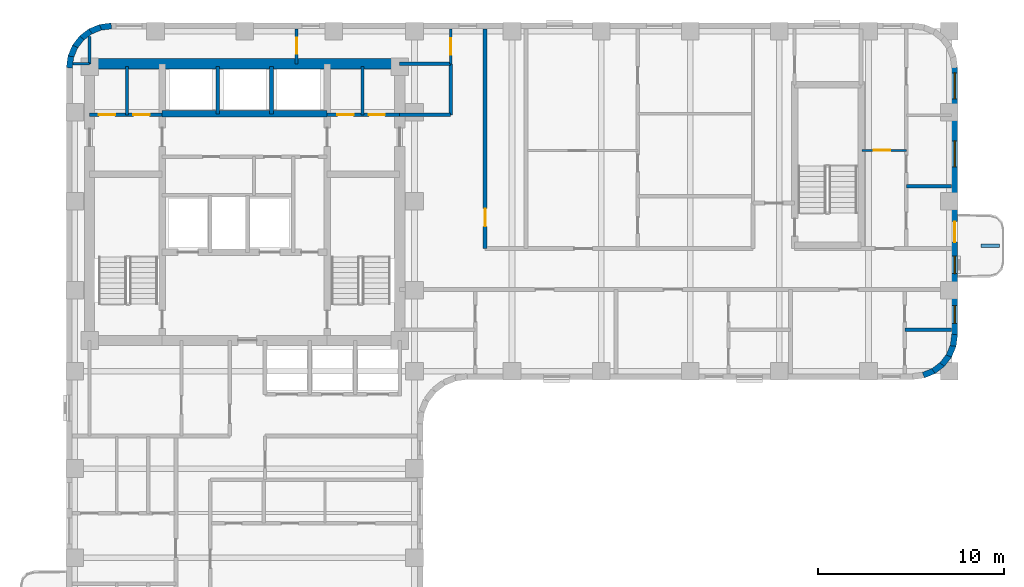
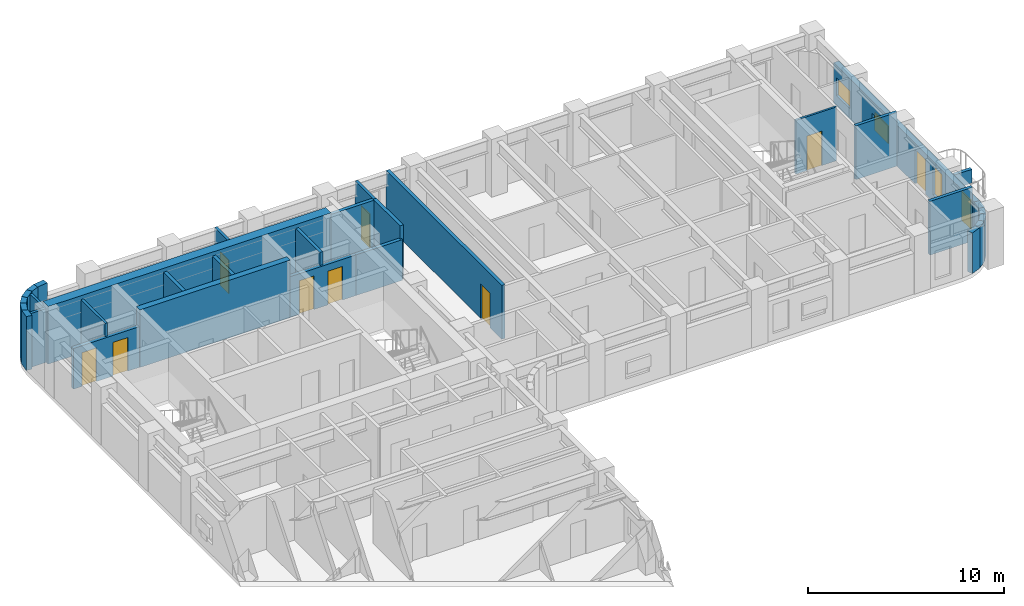
# One storey, part 6 of 10: 32 walls, 9 doors, 4 windows, 13 openings.
"""IFC4 building model written with IfcOpenShell, lengths in metres."""

from ifc_helpers import new_model, si_unit, direction, frame, frame_2d, origin, place, context, subcontext, project, spatial, rectangle, extrude, material, layer, layer_set, type_object, element, fill, save


model = new_model("IFC4")

# Units and contexts
model_context = context("Model", 3, precision=1e-05, world=origin(), true_north=direction((0.0, 1.0)))
body_context = subcontext(model_context, "Body", "Model", "MODEL_VIEW")
ifc_project = project(units=[si_unit("LENGTHUNIT", "METRE"), si_unit("AREAUNIT", "SQUARE_METRE"), si_unit("VOLUMEUNIT", "CUBIC_METRE"), si_unit("PLANEANGLEUNIT", "RADIAN"), si_unit("MASSUNIT", "GRAM", prefix="KILO")], contexts=[model_context])

# Site, building, storey
site_placement = place(None, origin())
site = spatial("IfcSite", under=ifc_project, at=site_placement, CompositionType="ELEMENT")
building_placement = place(site_placement, origin())
building = spatial("IfcBuilding", under=site, at=building_placement, Name="Orvandelia Arch Residences", CompositionType="ELEMENT")
storey_placement = place(building_placement, frame((0.0, 0.0, 121.60009765625)))
storey = spatial("IfcBuildingStorey", under=building, at=storey_placement, Name="L31", CompositionType="ELEMENT", Elevation=121.60009765625)

# Walls
ifc_material_1 = material(Name="Concrete C50/60", Category="concrete")
ifc_layer_1 = layer(ifc_material_1, 0.35009765625, Name="Concrete C50/60", Category="concrete")
ifc_layer_set_1 = layer_set([ifc_layer_1], Name="Concrete C50/60")
wall_type_1 = type_object("IfcWallType", Name="WL-CORE-350", PredefinedType="SHEAR", material=ifc_layer_set_1)
wall_1_placement = place(storey_placement, frame((9.9599609375, 43.10009765625, 0.0), z_axis=(0.0, 0.0, 1.0), x_axis=(1.0, 0.0, 0.0)))
element("IfcWall", 1, at=wall_1_placement, inside=storey, type_object=wall_type_1, Name="Core Shear Wall L31-HZ4", PredefinedType="SHEAR", context=body_context, shape_type="SweptSolid", body=[
    extrude(rectangle(XDim=8.880126953125, YDim=0.35009765625, at=frame_2d((4.43994140625, 0.0))), origin(), (0.0, 0.0, 1.0), 3.599853515625),
])
ifc_material_2 = material(Name="Concrete C60/75", Category="concrete")
ifc_layer_2 = layer(ifc_material_2, 0.550048828125, Name="Concrete C60/75", Category="concrete")
ifc_layer_set_2 = layer_set([ifc_layer_2], Name="Concrete C60/75")
wall_type_2 = type_object("IfcWallType", Name="WL-CORE-550", PredefinedType="SHEAR", material=ifc_layer_set_2)
wall_2_placement = place(storey_placement, frame((6.050048828125, 45.800048828125, 0.0), z_axis=(0.0, 0.0, 1.0), x_axis=(1.0, 0.0, 0.0)))
element("IfcWall", 2, at=wall_2_placement, inside=storey, type_object=wall_type_2, Name="Core Shear Wall L31-N", PredefinedType="SHEAR", context=body_context, shape_type="SweptSolid", body=[
    extrude(rectangle(XDim=16.699951171875, YDim=0.550048828125, at=frame_2d((8.35009765625, 0.0))), origin(), (0.0, 0.0, 1.0), 3.599853515625),
])
ifc_material_3 = material(Name="Fire-Rated Corridor Partition")
ifc_layer_3 = layer(ifc_material_3, 0.199951171875, Name="Fire-Rated Corridor Partition")
ifc_layer_set_3 = layer_set([ifc_layer_3], Name="Fire-Rated Corridor Partition")
wall_type_3 = type_object("IfcWallType", Name="WL-CORR-200", PredefinedType="PARTITIONING", material=ifc_layer_set_3)
wall_3_placement = place(storey_placement, frame((22.75, 45.800048828125, 0.0), z_axis=(0.0, 0.0, 1.0), x_axis=(1.0, 0.0, 0.0)))
element("IfcWall", 3, at=wall_3_placement, inside=storey, type_object=wall_type_3, Name="Interior Partition Wall WL-L31-NCE-S", PredefinedType="PARTITIONING", context=body_context, shape_type="SweptSolid", body=[
    extrude(rectangle(XDim=2.75, YDim=0.199951171875, at=frame_2d((1.375, 0.0))), origin(), (0.0, 0.0, 1.0), 3.35986328125),
])

# Wall, opening, door
wall_4_placement = place(storey_placement, frame((27.35009765625, 35.85009765625, 0.0), z_axis=(0.0, 0.0, 1.0), x_axis=(0.0, 1.0, 0.0)))
wall_4 = element("IfcWall", 4, at=wall_4_placement, inside=storey, type_object=wall_type_3, Name="Interior Partition Wall WL-L31-ES-NCE", PredefinedType="PARTITIONING", context=body_context, shape_type="SweptSolid", body=[
    extrude(rectangle(XDim=11.829833984375, YDim=0.199951171875, at=frame_2d((5.9150390625, 0.0))), origin(), (0.0, 0.0, 1.0), 3.35986328125),
])
opening_1_placement = place(wall_4_placement, frame((1.199951171875, 0.0, 0.0)))
opening_1 = element("IfcOpeningElement", 5, at=opening_1_placement, cuts=wall_4, Name="Opening D2", PredefinedType="OPENING", context=body_context, shape_type="SweptSolid", body=[
    extrude(rectangle(XDim=0.949951171875, YDim=2.14990234375, at=frame_2d((0.47509765625, 1.074951171875))), frame((0.0, 0.10986328125, 0.0), z_axis=(0.0, -1.0, 0.0), x_axis=(1.0, 0.0, 0.0)), (0.0, 0.0, 1.0), 0.219970703125),
])
ifc_material_4 = material(Name="Solid-Core Timber Interior Fire Door", Category="wood")
door_type_1 = type_object("IfcDoorType", Name="DR-APT-950", OperationType="NOTDEFINED", PredefinedType="DOOR", material=ifc_material_4)
door_1_placement = place(opening_1_placement, origin())
door_1 = element("IfcDoor", 6, at=door_1_placement, inside=storey, type_object=door_type_1, Name="DR-L31-ESLDY", OperationType="SINGLE_SWING_RIGHT", OverallHeight=2.14990234375, OverallWidth=0.949951171875, PredefinedType="DOOR", context=body_context, shape_type="SweptSolid", body=[
    extrude(rectangle(XDim=0.949951171875, YDim=2.14990234375, at=frame_2d((0.47509765625, 1.074951171875))), frame((0.0, 0.02490234375, 0.0), z_axis=(0.0, -1.0, 0.0), x_axis=(1.0, 0.0, 0.0)), (0.0, 0.0, 1.0), 0.050048828125),
])
fill(opening_1, door_1)

# Walls
wall_5_placement = place(storey_placement, frame((22.75, 43.050048828125, 0.0), z_axis=(0.0, 0.0, 1.0), x_axis=(1.0, 0.0, 0.0)))
element("IfcWall", 7, at=wall_5_placement, inside=storey, type_object=wall_type_3, Name="Interior Partition Wall WL-L31-ES-LS", PredefinedType="PARTITIONING", context=body_context, shape_type="SweptSolid", body=[
    extrude(rectangle(XDim=2.75, YDim=0.199951171875, at=frame_2d((1.375, 0.0))), origin(), (0.0, 0.0, 1.0), 2.539794921875),
])
wall_6_placement = place(storey_placement, frame((25.5, 43.050048828125, 0.0), z_axis=(0.0, 0.0, 1.0), x_axis=(0.0, 1.0, 0.0)))
element("IfcWall", 8, at=wall_6_placement, inside=storey, type_object=wall_type_3, Name="Interior Partition Wall WL-L31-ES-LW2", PredefinedType="PARTITIONING", context=body_context, shape_type="SweptSolid", body=[
    extrude(rectangle(XDim=2.75, YDim=0.199951171875, at=frame_2d((1.375, 0.0))), origin(), (0.0, 0.0, 1.0), 3.35986328125),
])
ifc_material_5 = material(Name="Precast concrete C40/50", Category="concrete")
ifc_layer_4 = layer(ifc_material_5, 0.320068359375, Name="Precast concrete C40/50", Category="concrete")
ifc_layer_set_4 = layer_set([ifc_layer_4], Name="Precast concrete C40/50")
wall_type_4 = type_object("IfcWallType", Name="WL-EXT-STONE-320", PredefinedType="STANDARD", material=ifc_layer_set_4)
for number, where, z_axis, x_axis, name in (
    (9, (4.95849609375, 45.5791015625, 0.0), (0.0, 0.0, 1.0), (0.130555323746, 0.9914410257, 0.0), "Coral-Limestone Precast Facade Wall L31-001"),
    (10, (5.029541015625, 46.159912109375, 0.0), (0.0, 0.0, 1.0), (0.382650053678, 0.92389335771, 0.0), "Coral-Limestone Precast Facade Wall L31-002"),
):
    element("IfcWall", number, at=place(storey_placement, frame(where, z_axis=z_axis, x_axis=x_axis)), inside=storey, type_object=wall_type_4, Name=name, PredefinedType="STANDARD", context=body_context, shape_type="SweptSolid", body=[
        extrude(rectangle(XDim=0.62646484375, YDim=0.320068359375, at=frame_2d((0.313232421875, 0.0))), origin(), (0.0, 0.0, 1.0), 3.35986328125),
    ])
wall_7_placement = place(storey_placement, frame((5.248291015625, 46.70263671875, 0.0), z_axis=(0.0, 0.0, 1.0), x_axis=(0.608938521285, 0.7932174212, 0.0)))
element("IfcWall", 11, at=wall_7_placement, inside=storey, type_object=wall_type_4, Name="Coral-Limestone Precast Facade Wall L31-003", PredefinedType="STANDARD", context=body_context, shape_type="SweptSolid", body=[
    extrude(rectangle(XDim=0.626708984375, YDim=0.320068359375, at=frame_2d((0.3134765625, 0.0))), origin(), (0.0, 0.0, 1.0), 3.35986328125),
])
wall_8_placement = place(storey_placement, frame((5.600341796875, 47.170166015625, 0.0), z_axis=(0.0, 0.0, 1.0), x_axis=(0.793405610854, 0.608693302629, 0.0)))
element("IfcWall", 12, at=wall_8_placement, inside=storey, type_object=wall_type_4, Name="Coral-Limestone Precast Facade Wall L31-004", PredefinedType="STANDARD", context=body_context, shape_type="SweptSolid", body=[
    extrude(rectangle(XDim=0.62646484375, YDim=0.320068359375, at=frame_2d((0.313232421875, 0.0))), origin(), (0.0, 0.0, 1.0), 3.35986328125),
])
wall_9_placement = place(storey_placement, frame((6.061279296875, 47.53076171875, 0.0), z_axis=(0.0, 0.0, 1.0), x_axis=(0.923836271867, 0.382787856107, 0.0)))
element("IfcWall", 13, at=wall_9_placement, inside=storey, type_object=wall_type_4, Name="Coral-Limestone Precast Facade Wall L31-005", PredefinedType="STANDARD", context=body_context, shape_type="SweptSolid", body=[
    extrude(rectangle(XDim=0.626220703125, YDim=0.320068359375, at=frame_2d((0.31298828125, 0.0))), origin(), (0.0, 0.0, 1.0), 3.35986328125),
])
wall_10_placement = place(storey_placement, frame((6.599609375, 47.759521484375, 0.0), z_axis=(0.0, 0.0, 1.0), x_axis=(0.991447664465, 0.130504898859, 0.0)))
element("IfcWall", 14, at=wall_10_placement, inside=storey, type_object=wall_type_4, Name="Coral-Limestone Precast Facade Wall L31-006", PredefinedType="STANDARD", context=body_context, shape_type="SweptSolid", body=[
    extrude(rectangle(XDim=0.626708984375, YDim=0.320068359375, at=frame_2d((0.3134765625, 0.0))), origin(), (0.0, 0.0, 1.0), 3.35986328125),
])

# Wall, openings, door, windows
wall_11_placement = place(storey_placement, frame((52.639892578125, 45.60009765625, 0.0), z_axis=(0.0, 0.0, 1.0), x_axis=(0.0, -1.0, 0.0)))
wall_11 = element("IfcWall", 15, at=wall_11_placement, inside=storey, type_object=wall_type_4, Name="Coral-Limestone Precast Facade Wall L31-014", PredefinedType="STANDARD", context=body_context, shape_type="SweptSolid", body=[
    extrude(rectangle(XDim=14.400146484375, YDim=0.320068359375, at=frame_2d((7.2001953125, 0.0))), origin(), (0.0, 0.0, 1.0), 2.539794921875),
])
opening_2_placement = place(wall_11_placement, frame((8.300048828125, 0.0, 0.0)))
opening_2 = element("IfcOpeningElement", 16, at=opening_2_placement, cuts=wall_11, Name="Opening BD1", PredefinedType="OPENING", context=body_context, shape_type="SweptSolid", body=[
    extrude(rectangle(XDim=1.10009765625, YDim=2.14990234375, at=frame_2d((0.550048828125, 1.074951171875))), frame((0.0, 0.169921875, 0.0), z_axis=(0.0, -1.0, 0.0), x_axis=(1.0, 0.0, 0.0)), (0.0, 0.0, 1.0), 0.340087890625),
])
opening_3_placement = place(wall_11_placement, frame((0.282470703125, 0.0, 0.64990234375)))
opening_3 = element("IfcOpeningElement", 17, at=opening_3_placement, cuts=wall_11, Name="Opening W10", PredefinedType="OPENING", context=body_context, shape_type="SweptSolid", body=[
    extrude(rectangle(XDim=1.39990234375, YDim=1.10009765625, at=frame_2d((0.699951171875, 0.550048828125))), frame((0.0, 0.169921875, 0.0), z_axis=(0.0, -1.0, 0.0), x_axis=(1.0, 0.0, 0.0)), (0.0, 0.0, 1.0), 0.340087890625),
])
opening_4_placement = place(wall_11_placement, frame((10.152587890625, 0.0, 0.449951171875)))
opening_4 = element("IfcOpeningElement", 18, at=opening_4_placement, cuts=wall_11, Name="Opening W4", PredefinedType="OPENING", context=body_context, shape_type="SweptSolid", body=[
    extrude(rectangle(XDim=0.949951171875, YDim=1.800048828125, at=frame_2d((0.47509765625, 0.89990234375))), frame((0.0, 0.169921875, 0.0), z_axis=(0.0, -1.0, 0.0), x_axis=(1.0, 0.0, 0.0)), (0.0, 0.0, 1.0), 0.340087890625),
])
opening_5_placement = place(wall_11_placement, frame((12.830078125, 0.0, 0.449951171875)))
opening_5 = element("IfcOpeningElement", 19, at=opening_5_placement, cuts=wall_11, Name="Opening W4", PredefinedType="OPENING", context=body_context, shape_type="SweptSolid", body=[
    extrude(rectangle(XDim=0.949951171875, YDim=1.800048828125, at=frame_2d((0.47509765625, 0.89990234375))), frame((0.0, 0.169921875, 0.0), z_axis=(0.0, -1.0, 0.0), x_axis=(1.0, 0.0, 0.0)), (0.0, 0.0, 1.0), 0.340087890625),
])
opening_6_placement = place(wall_11_placement, frame((3.945556640625, 0.0, 0.64990234375)))
opening_6 = element("IfcOpeningElement", 20, at=opening_6_placement, cuts=wall_11, Name="Opening W10", PredefinedType="OPENING", context=body_context, shape_type="SweptSolid", body=[
    extrude(rectangle(XDim=1.39990234375, YDim=1.10009765625, at=frame_2d((0.699951171875, 0.550048828125))), frame((0.0, 0.169921875, 0.0), z_axis=(0.0, -1.0, 0.0), x_axis=(1.0, 0.0, 0.0)), (0.0, 0.0, 1.0), 0.340087890625),
])
ifc_material_6 = material(Name="Thermally Broken Aluminium Glazed Door", Category="aluminium")
door_type_2 = type_object("IfcDoorType", Name="DR-BAL-GLAZ-1100", OperationType="NOTDEFINED", PredefinedType="DOOR", material=ifc_material_6)
door_2_placement = place(opening_2_placement, origin())
door_2 = element("IfcDoor", 21, at=door_2_placement, inside=storey, type_object=door_type_2, Name="Tree Balcony Glazed Door BAL-L31-E1", OperationType="SINGLE_SWING_LEFT", OverallHeight=2.14990234375, OverallWidth=1.10009765625, PredefinedType="DOOR", context=body_context, shape_type="SweptSolid", body=[
    extrude(rectangle(XDim=1.10009765625, YDim=2.14990234375, at=frame_2d((0.550048828125, 1.074951171875))), frame((0.0, 0.02490234375, 0.0), z_axis=(0.0, -1.0, 0.0), x_axis=(1.0, 0.0, 0.0)), (0.0, 0.0, 1.0), 0.050048828125),
])
fill(opening_2, door_2)
ifc_material_7 = material(Name="Tempered Low-E Insulated Glazing", Category="glass")
window_type_1 = type_object("IfcWindowType", Name="WIN-CLR-1400x1100", PartitioningType="SINGLE_PANEL", PredefinedType="WINDOW", material=ifc_material_7)
window_1_placement = place(opening_3_placement, origin())
window_1 = element("IfcWindow", 22, at=window_1_placement, inside=storey, type_object=window_type_1, Name="Recessed Punched Window L31-008", OverallHeight=1.10009765625, OverallWidth=1.39990234375, PartitioningType="SINGLE_PANEL", PredefinedType="WINDOW", context=body_context, shape_type="SweptSolid", body=[
    extrude(rectangle(XDim=1.39990234375, YDim=1.10009765625, at=frame_2d((0.699951171875, 0.550048828125))), frame((0.0, 0.030029296875, 0.0), z_axis=(0.0, -1.0, 0.0), x_axis=(1.0, 0.0, 0.0)), (0.0, 0.0, 1.0), 0.06005859375),
])
fill(opening_3, window_1)
window_2_placement = place(opening_6_placement, origin())
window_2 = element("IfcWindow", 23, at=window_2_placement, inside=storey, type_object=window_type_1, Name="Recessed Punched Window L31-011", OverallHeight=1.10009765625, OverallWidth=1.39990234375, PartitioningType="SINGLE_PANEL", PredefinedType="WINDOW", context=body_context, shape_type="SweptSolid", body=[
    extrude(rectangle(XDim=1.39990234375, YDim=1.10009765625, at=frame_2d((0.699951171875, 0.550048828125))), frame((0.0, 0.030029296875, 0.0), z_axis=(0.0, -1.0, 0.0), x_axis=(1.0, 0.0, 0.0)), (0.0, 0.0, 1.0), 0.06005859375),
])
fill(opening_6, window_2)
window_type_2 = type_object("IfcWindowType", Name="WIN-RES-0950x1800", PartitioningType="SINGLE_PANEL", PredefinedType="WINDOW", material=ifc_material_7)
window_3_placement = place(opening_4_placement, origin())
window_3 = element("IfcWindow", 24, at=window_3_placement, inside=storey, type_object=window_type_2, Name="Recessed Punched Window L31-009", OverallHeight=1.800048828125, OverallWidth=0.949951171875, PartitioningType="SINGLE_PANEL", PredefinedType="WINDOW", context=body_context, shape_type="SweptSolid", body=[
    extrude(rectangle(XDim=0.949951171875, YDim=1.800048828125, at=frame_2d((0.47509765625, 0.89990234375))), frame((0.0, 0.030029296875, 0.0), z_axis=(0.0, -1.0, 0.0), x_axis=(1.0, 0.0, 0.0)), (0.0, 0.0, 1.0), 0.06005859375),
])
fill(opening_4, window_3)
window_4_placement = place(opening_5_placement, origin())
window_4 = element("IfcWindow", 25, at=window_4_placement, inside=storey, type_object=window_type_2, Name="Recessed Punched Window L31-010", OverallHeight=1.800048828125, OverallWidth=0.949951171875, PartitioningType="SINGLE_PANEL", PredefinedType="WINDOW", context=body_context, shape_type="SweptSolid", body=[
    extrude(rectangle(XDim=0.949951171875, YDim=1.800048828125, at=frame_2d((0.47509765625, 0.89990234375))), frame((0.0, 0.030029296875, 0.0), z_axis=(0.0, -1.0, 0.0), x_axis=(1.0, 0.0, 0.0)), (0.0, 0.0, 1.0), 0.06005859375),
])
fill(opening_5, window_4)

# Walls
wall_12_placement = place(storey_placement, frame((52.641357421875, 31.220947265625, 0.0), z_axis=(0.0, 0.0, 1.0), x_axis=(-0.130504898859, -0.991447664465, 0.0)))
element("IfcWall", 26, at=wall_12_placement, inside=storey, type_object=wall_type_4, Name="Coral-Limestone Precast Facade Wall L31-015", PredefinedType="STANDARD", context=body_context, shape_type="SweptSolid", body=[
    extrude(rectangle(XDim=0.626708984375, YDim=0.320068359375, at=frame_2d((0.3134765625, 0.0))), origin(), (0.0, 0.0, 1.0), 2.539794921875),
])
wall_13_placement = place(storey_placement, frame((52.5703125, 30.639892578125, 0.0), z_axis=(0.0, 0.0, 1.0), x_axis=(-0.382455093999, -0.923974080304, 0.0)))
element("IfcWall", 27, at=wall_13_placement, inside=storey, type_object=wall_type_4, Name="Coral-Limestone Precast Facade Wall L31-016", PredefinedType="STANDARD", context=body_context, shape_type="SweptSolid", body=[
    extrude(rectangle(XDim=0.626220703125, YDim=0.320068359375, at=frame_2d((0.31298828125, 0.0))), origin(), (0.0, 0.0, 1.0), 2.539794921875),
])
wall_14_placement = place(storey_placement, frame((52.3515625, 30.097412109375, 0.0), z_axis=(0.0, 0.0, 1.0), x_axis=(-0.608693302629, -0.793405610854, 0.0)))
element("IfcWall", 28, at=wall_14_placement, inside=storey, type_object=wall_type_4, Name="Coral-Limestone Precast Facade Wall L31-017", PredefinedType="STANDARD", context=body_context, shape_type="SweptSolid", body=[
    extrude(rectangle(XDim=0.62646484375, YDim=0.320068359375, at=frame_2d((0.313232421875, 0.0))), origin(), (0.0, 0.0, 1.0), 2.539794921875),
])
wall_15_placement = place(storey_placement, frame((51.999755859375, 29.6298828125, 0.0), z_axis=(0.0, 0.0, 1.0), x_axis=(-0.7932174212, -0.608938521285, 0.0)))
element("IfcWall", 29, at=wall_15_placement, inside=storey, type_object=wall_type_4, Name="Coral-Limestone Precast Facade Wall L31-018", PredefinedType="STANDARD", context=body_context, shape_type="SweptSolid", body=[
    extrude(rectangle(XDim=0.626708984375, YDim=0.320068359375, at=frame_2d((0.3134765625, 0.0))), origin(), (0.0, 0.0, 1.0), 2.539794921875),
])
wall_16_placement = place(storey_placement, frame((51.538818359375, 29.269287109375, 0.0), z_axis=(0.0, 0.0, 1.0), x_axis=(-0.92389335771, -0.382650053678, 0.0)))
element("IfcWall", 30, at=wall_16_placement, inside=storey, type_object=wall_type_4, Name="Coral-Limestone Precast Facade Wall L31-019", PredefinedType="STANDARD", context=body_context, shape_type="SweptSolid", body=[
    extrude(rectangle(XDim=0.62646484375, YDim=0.320068359375, at=frame_2d((0.313232421875, 0.0))), origin(), (0.0, 0.0, 1.0), 2.539794921875),
])

# Wall, opening, door
ifc_material_8 = material(Name="Lightweight Gypsum Stud Partition")
ifc_layer_5 = layer(ifc_material_8, 0.1201171875, Name="Lightweight Gypsum Stud Partition")
ifc_layer_set_5 = layer_set([ifc_layer_5], Name="Lightweight Gypsum Stud Partition")
wall_type_5 = type_object("IfcWallType", Name="WL-PART-120", PredefinedType="PARTITIONING", material=ifc_layer_set_5)
wall_17_placement = place(storey_placement, frame((47.639892578125, 41.137939453125, 0.0), z_axis=(0.0, 0.0, 1.0), x_axis=(1.0, 0.0, 0.0)))
wall_17 = element("IfcWall", 31, at=wall_17_placement, inside=storey, type_object=wall_type_5, Name="Interior Partition Wall WL-L31-U09-DIN", PredefinedType="PARTITIONING", context=body_context, shape_type="SweptSolid", body=[
    extrude(rectangle(XDim=2.403076171875, YDim=0.1201171875, at=frame_2d((1.20166015625, 0.0))), origin(), (0.0, 0.0, 1.0), 3.35986328125),
])
opening_7_placement = place(wall_17_placement, frame((0.640380859375, 0.0, 0.0)))
opening_7 = element("IfcOpeningElement", 32, at=opening_7_placement, cuts=wall_17, Name="Opening D3", PredefinedType="OPENING", context=body_context, shape_type="SweptSolid", body=[
    extrude(rectangle(XDim=0.89990234375, YDim=2.14990234375, at=frame_2d((0.449951171875, 1.074951171875))), frame((0.0, 0.070068359375, 0.0), z_axis=(0.0, -1.0, 0.0), x_axis=(1.0, 0.0, 0.0)), (0.0, 0.0, 1.0), 0.14013671875),
])
ifc_material_9 = material(Name="Engineered Timber Flush Door", Category="wood")
door_type_3 = type_object("IfcDoorType", Name="DR-INT-900", OperationType="NOTDEFINED", PredefinedType="DOOR", material=ifc_material_9)
door_3_placement = place(opening_7_placement, origin())
door_3 = element("IfcDoor", 33, at=door_3_placement, inside=storey, type_object=door_type_3, Name="DR-L31-U09-DIN", OperationType="SINGLE_SWING_RIGHT", OverallHeight=2.14990234375, OverallWidth=0.89990234375, PredefinedType="DOOR", context=body_context, shape_type="SweptSolid", body=[
    extrude(rectangle(XDim=0.89990234375, YDim=2.14990234375, at=frame_2d((0.449951171875, 1.074951171875))), frame((0.0, 0.02490234375, 0.0), z_axis=(0.0, -1.0, 0.0), x_axis=(1.0, 0.0, 0.0)), (0.0, 0.0, 1.0), 0.050048828125),
])
fill(opening_7, door_3)

# Walls
ifc_material_10 = material(Name="Acoustic Gypsum Stud Partition")
ifc_layer_6 = layer(ifc_material_10, 0.14990234375, Name="Acoustic Gypsum Stud Partition")
ifc_layer_set_6 = layer_set([ifc_layer_6], Name="Acoustic Gypsum Stud Partition")
wall_type_6 = type_object("IfcWallType", Name="WL-PART-150", PredefinedType="PARTITIONING", material=ifc_layer_set_6)
wall_18_placement = place(storey_placement, frame((8.06005859375, 43.050048828125, 0.0), z_axis=(0.0, 0.0, 1.0), x_axis=(0.0, 1.0, 0.0)))
element("IfcWall", 34, at=wall_18_placement, inside=storey, type_object=wall_type_6, Name="Interior Partition Wall WL-L31-CRELC-M", PredefinedType="PARTITIONING", context=body_context, shape_type="SweptSolid", body=[
    extrude(rectangle(XDim=2.599853515625, YDim=0.14990234375, at=frame_2d((1.2998046875, 0.0))), origin(), (0.0, 0.0, 1.0), 3.35986328125),
])
wall_19_placement = place(storey_placement, frame((5.159912109375, 45.800048828125, 0.0), z_axis=(0.0, 0.0, 1.0), x_axis=(1.0, 0.0, 0.0)))
element("IfcWall", 35, at=wall_19_placement, inside=storey, type_object=wall_type_6, Name="Interior Partition Wall WL-L31-WF-N", PredefinedType="PARTITIONING", context=body_context, shape_type="SweptSolid", body=[
    extrude(rectangle(XDim=0.89013671875, YDim=0.14990234375, at=frame_2d((0.445068359375, 0.0))), origin(), (0.0, 0.0, 1.0), 3.35986328125),
])

# Wall, opening, door
wall_20_placement = place(storey_placement, frame((25.5, 45.800048828125, 0.0), z_axis=(0.0, 0.0, 1.0), x_axis=(0.0, 1.0, 0.0)))
wall_20 = element("IfcWall", 36, at=wall_20_placement, inside=storey, type_object=wall_type_6, Name="Interior Partition Wall WL-L31-NCE-W", PredefinedType="PARTITIONING", context=body_context, shape_type="SweptSolid", body=[
    extrude(rectangle(XDim=1.8798828125, YDim=0.14990234375, at=frame_2d((0.93994140625, 0.0))), origin(), (0.0, 0.0, 1.0), 3.35986328125),
])
opening_8_placement = place(wall_20_placement, frame((0.5, 0.0, 0.0)))
opening_8 = element("IfcOpeningElement", 37, at=opening_8_placement, cuts=wall_20, Name="Opening D5", PredefinedType="OPENING", context=body_context, shape_type="SweptSolid", body=[
    extrude(rectangle(XDim=0.8798828125, YDim=2.10009765625, at=frame_2d((0.43994140625, 1.050048828125))), frame((0.0, 0.0849609375, 0.0), z_axis=(0.0, -1.0, 0.0), x_axis=(1.0, 0.0, 0.0)), (0.0, 0.0, 1.0), 0.169921875),
])
ifc_material_11 = material(Name="Painted Galvanised Steel Service Door", Category="steel")
door_type_4 = type_object("IfcDoorType", Name="DR-SRV-880", OperationType="NOTDEFINED", PredefinedType="DOOR", material=ifc_material_11)
door_4_placement = place(opening_8_placement, origin())
door_4 = element("IfcDoor", 38, at=door_4_placement, inside=storey, type_object=door_type_4, Name="DR-L31-NCS2", OperationType="SINGLE_SWING_LEFT", OverallHeight=2.10009765625, OverallWidth=0.8798828125, PredefinedType="DOOR", context=body_context, shape_type="SweptSolid", body=[
    extrude(rectangle(XDim=0.8798828125, YDim=2.10009765625, at=frame_2d((0.43994140625, 1.050048828125))), frame((0.0, 0.02490234375, 0.0), z_axis=(0.0, -1.0, 0.0), x_axis=(1.0, 0.0, 0.0)), (0.0, 0.0, 1.0), 0.050048828125),
])
fill(opening_8, door_4)

# Wall
wall_21_placement = place(storey_placement, frame((6.050048828125, 45.800048828125, 0.0), z_axis=(0.0, 0.0, 1.0), x_axis=(0.0, 1.0, 0.0)))
element("IfcWall", 39, at=wall_21_placement, inside=storey, type_object=wall_type_6, Name="Interior Partition Wall WL-L31-NC-W6", PredefinedType="PARTITIONING", context=body_context, shape_type="SweptSolid", body=[
    extrude(rectangle(XDim=1.4599609375, YDim=0.14990234375, at=frame_2d((0.72998046875, 0.0))), origin(), (0.0, 0.0, 1.0), 3.35986328125),
])

# Wall, opening, door
wall_22_placement = place(storey_placement, frame((17.199951171875, 45.800048828125, 0.0), z_axis=(0.0, 0.0, 1.0), x_axis=(0.0, 1.0, 0.0)))
wall_22 = element("IfcWall", 40, at=wall_22_placement, inside=storey, type_object=wall_type_6, Name="Interior Partition Wall WL-L31-NC-M", PredefinedType="PARTITIONING", context=body_context, shape_type="SweptSolid", body=[
    extrude(rectangle(XDim=1.8798828125, YDim=0.14990234375, at=frame_2d((0.93994140625, 0.0))), origin(), (0.0, 0.0, 1.0), 3.35986328125),
])
opening_9_placement = place(wall_22_placement, frame((0.550048828125, 0.0, 0.0)))
opening_9 = element("IfcOpeningElement", 41, at=opening_9_placement, cuts=wall_22, Name="Opening D4", PredefinedType="OPENING", context=body_context, shape_type="SweptSolid", body=[
    extrude(rectangle(XDim=0.860107421875, YDim=2.10009765625, at=frame_2d((0.43017578125, 1.050048828125))), frame((0.0, 0.0849609375, 0.0), z_axis=(0.0, -1.0, 0.0), x_axis=(1.0, 0.0, 0.0)), (0.0, 0.0, 1.0), 0.169921875),
])
ifc_material_12 = material(Name="Moisture-Sealed Timber Bathroom Door", Category="wood")
door_type_5 = type_object("IfcDoorType", Name="DR-WET-900", OperationType="NOTDEFINED", PredefinedType="DOOR", material=ifc_material_12)
door_5_placement = place(opening_9_placement, origin())
door_5 = element("IfcDoor", 42, at=door_5_placement, inside=storey, type_object=door_type_5, Name="DR-L31-NCS1", OperationType="SINGLE_SWING_LEFT", OverallHeight=2.10009765625, OverallWidth=0.860107421875, PredefinedType="DOOR", context=body_context, shape_type="SweptSolid", body=[
    extrude(rectangle(XDim=0.860107421875, YDim=2.10009765625, at=frame_2d((0.43017578125, 1.050048828125))), frame((0.0, 0.02490234375, 0.0), z_axis=(0.0, -1.0, 0.0), x_axis=(1.0, 0.0, 0.0)), (0.0, 0.0, 1.0), 0.050048828125),
])
fill(opening_9, door_5)

# Wall
ifc_layer_7 = layer(ifc_material_5, 0.199951171875, Name="Precast concrete C40/50", Category="concrete")
ifc_layer_set_7 = layer_set([ifc_layer_7], Name="Precast concrete C40/50")
wall_type_7 = type_object("IfcWallType", Name="WL-PLANTER-200", PredefinedType="MOVABLE", material=ifc_layer_set_7)
wall_23_placement = place(storey_placement, frame((54.050048828125, 36.0, 0.0), z_axis=(0.0, 0.0, 1.0), x_axis=(1.0, 0.0, 0.0)))
element("IfcWall", 43, at=wall_23_placement, inside=storey, type_object=wall_type_7, Name="Balcony Precast Tree Planter BAL-L31-E1", PredefinedType="MOVABLE", context=body_context, shape_type="SweptSolid", body=[
    extrude(rectangle(XDim=1.0, YDim=0.199951171875, at=frame_2d((0.5, 0.0))), origin(), (0.0, 0.0, 1.0), 0.849853515625),
])

# Wall, openings, doors
ifc_material_13 = material(Name="Fire-Rated Shaft Enclosure Wall")
ifc_layer_8 = layer(ifc_material_13, 0.199951171875, Name="Fire-Rated Shaft Enclosure Wall")
ifc_layer_set_8 = layer_set([ifc_layer_8], Name="Fire-Rated Shaft Enclosure Wall")
wall_type_8 = type_object("IfcWallType", Name="WL-SHAFT-200", PredefinedType="POLYGONAL", material=ifc_layer_set_8)
wall_24_placement = place(storey_placement, frame((18.840087890625, 43.050048828125, 0.0), z_axis=(0.0, 0.0, 1.0), x_axis=(1.0, 0.0, 0.0)))
wall_24 = element("IfcWall", 44, at=wall_24_placement, inside=storey, type_object=wall_type_8, Name="Interior Partition Wall WL-L31-HLE-N", PredefinedType="POLYGONAL", context=body_context, shape_type="SweptSolid", body=[
    extrude(rectangle(XDim=3.909912109375, YDim=0.199951171875, at=frame_2d((1.955078125, 0.0))), origin(), (0.0, 0.0, 1.0), 2.539794921875),
])
opening_10_placement = place(wall_24_placement, frame((0.550048828125, 0.0, 0.0)))
opening_10 = element("IfcOpeningElement", 45, at=opening_10_placement, cuts=wall_24, Name="Opening D5", PredefinedType="OPENING", context=body_context, shape_type="SweptSolid", body=[
    extrude(rectangle(XDim=0.8798828125, YDim=2.10009765625, at=frame_2d((0.43994140625, 1.050048828125))), frame((0.0, 0.10986328125, 0.0), z_axis=(0.0, -1.0, 0.0), x_axis=(1.0, 0.0, 0.0)), (0.0, 0.0, 1.0), 0.219970703125),
])
opening_11_placement = place(wall_24_placement, frame((2.25, 0.0, 0.0)))
opening_11 = element("IfcOpeningElement", 46, at=opening_11_placement, cuts=wall_24, Name="Opening D4", PredefinedType="OPENING", context=body_context, shape_type="SweptSolid", body=[
    extrude(rectangle(XDim=0.860107421875, YDim=2.10009765625, at=frame_2d((0.43017578125, 1.050048828125))), frame((0.0, 0.10986328125, 0.0), z_axis=(0.0, -1.0, 0.0), x_axis=(1.0, 0.0, 0.0)), (0.0, 0.0, 1.0), 0.219970703125),
])
door_6_placement = place(opening_10_placement, origin())
door_6 = element("IfcDoor", 47, at=door_6_placement, inside=storey, type_object=door_type_4, Name="DR-L31-CSB1", OperationType="SINGLE_SWING_LEFT", OverallHeight=2.10009765625, OverallWidth=0.8798828125, PredefinedType="DOOR", context=body_context, shape_type="SweptSolid", body=[
    extrude(rectangle(XDim=0.8798828125, YDim=2.10009765625, at=frame_2d((0.43994140625, 1.050048828125))), frame((0.0, 0.02490234375, 0.0), z_axis=(0.0, -1.0, 0.0), x_axis=(1.0, 0.0, 0.0)), (0.0, 0.0, 1.0), 0.050048828125),
])
fill(opening_10, door_6)
door_7_placement = place(opening_11_placement, origin())
door_7 = element("IfcDoor", 48, at=door_7_placement, inside=storey, type_object=door_type_5, Name="DR-L31-CSB2", OperationType="SINGLE_SWING_LEFT", OverallHeight=2.10009765625, OverallWidth=0.860107421875, PredefinedType="DOOR", context=body_context, shape_type="SweptSolid", body=[
    extrude(rectangle(XDim=0.860107421875, YDim=2.10009765625, at=frame_2d((0.43017578125, 1.050048828125))), frame((0.0, 0.02490234375, 0.0), z_axis=(0.0, -1.0, 0.0), x_axis=(1.0, 0.0, 0.0)), (0.0, 0.0, 1.0), 0.050048828125),
])
fill(opening_11, door_7)

wall_25_placement = place(storey_placement, frame((6.050048828125, 43.050048828125, 0.0), z_axis=(0.0, 0.0, 1.0), x_axis=(1.0, 0.0, 0.0)))
wall_25 = element("IfcWall", 49, at=wall_25_placement, inside=storey, type_object=wall_type_8, Name="Interior Partition Wall WL-L31-HLW-N", PredefinedType="POLYGONAL", context=body_context, shape_type="SweptSolid", body=[
    extrude(rectangle(XDim=3.909912109375, YDim=0.199951171875, at=frame_2d((1.955078125, 0.0))), origin(), (0.0, 0.0, 1.0), 2.539794921875),
])
opening_12_placement = place(wall_25_placement, frame((0.5, 0.0, 0.0)))
opening_12 = element("IfcOpeningElement", 50, at=opening_12_placement, cuts=wall_25, Name="Opening D5", PredefinedType="OPENING", context=body_context, shape_type="SweptSolid", body=[
    extrude(rectangle(XDim=0.8798828125, YDim=2.10009765625, at=frame_2d((0.43994140625, 1.050048828125))), frame((0.0, 0.10986328125, 0.0), z_axis=(0.0, -1.0, 0.0), x_axis=(1.0, 0.0, 0.0)), (0.0, 0.0, 1.0), 0.219970703125),
])
opening_13_placement = place(wall_25_placement, frame((2.35009765625, 0.0, 0.0)))
opening_13 = element("IfcOpeningElement", 51, at=opening_13_placement, cuts=wall_25, Name="Opening D5", PredefinedType="OPENING", context=body_context, shape_type="SweptSolid", body=[
    extrude(rectangle(XDim=0.8798828125, YDim=2.10009765625, at=frame_2d((0.43994140625, 1.050048828125))), frame((0.0, 0.10986328125, 0.0), z_axis=(0.0, -1.0, 0.0), x_axis=(1.0, 0.0, 0.0)), (0.0, 0.0, 1.0), 0.219970703125),
])
door_8_placement = place(opening_12_placement, origin())
door_8 = element("IfcDoor", 52, at=door_8_placement, inside=storey, type_object=door_type_4, Name="DR-L31-CRELC1", OperationType="SINGLE_SWING_LEFT", OverallHeight=2.10009765625, OverallWidth=0.8798828125, PredefinedType="DOOR", context=body_context, shape_type="SweptSolid", body=[
    extrude(rectangle(XDim=0.8798828125, YDim=2.10009765625, at=frame_2d((0.43994140625, 1.050048828125))), frame((0.0, 0.02490234375, 0.0), z_axis=(0.0, -1.0, 0.0), x_axis=(1.0, 0.0, 0.0)), (0.0, 0.0, 1.0), 0.050048828125),
])
fill(opening_12, door_8)
door_9_placement = place(opening_13_placement, origin())
door_9 = element("IfcDoor", 53, at=door_9_placement, inside=storey, type_object=door_type_4, Name="DR-L31-CRELC2", OperationType="SINGLE_SWING_RIGHT", OverallHeight=2.10009765625, OverallWidth=0.8798828125, PredefinedType="DOOR", context=body_context, shape_type="SweptSolid", body=[
    extrude(rectangle(XDim=0.8798828125, YDim=2.10009765625, at=frame_2d((0.43994140625, 1.050048828125))), frame((0.0, 0.02490234375, 0.0), z_axis=(0.0, -1.0, 0.0), x_axis=(1.0, 0.0, 0.0)), (0.0, 0.0, 1.0), 0.050048828125),
])
fill(opening_13, door_9)

# Walls
for number, where, z_axis, x_axis, name in (
    (54, (12.949951171875, 43.10009765625, 0.0), (0.0, 0.0, 1.0), (0.0, 1.0, 0.0), "Interior Partition Wall WL-L31-PHD1"),
    (55, (15.85009765625, 43.10009765625, 0.0), (0.0, 0.0, 1.0), (0.0, 1.0, 0.0), "Interior Partition Wall WL-L31-PHD2"),
):
    element("IfcWall", number, at=place(storey_placement, frame(where, z_axis=z_axis, x_axis=x_axis)), inside=storey, type_object=wall_type_8, Name=name, PredefinedType="POLYGONAL", context=body_context, shape_type="SweptSolid", body=[
        extrude(rectangle(XDim=2.5498046875, YDim=0.199951171875, at=frame_2d((1.27490234375, 0.0))), origin(), (0.0, 0.0, 1.0), 3.35986328125),
    ])
ifc_material_14 = material(Name="Moisture-Resistant Plumbing Wall")
ifc_layer_9 = layer(ifc_material_14, 0.179931640625, Name="Moisture-Resistant Plumbing Wall")
ifc_layer_set_9 = layer_set([ifc_layer_9], Name="Moisture-Resistant Plumbing Wall")
wall_type_9 = type_object("IfcWallType", Name="WL-WET-180", PredefinedType="PLUMBINGWALL", material=ifc_layer_set_9)
wall_26_placement = place(storey_placement, frame((20.75, 43.050048828125, 0.0), z_axis=(0.0, 0.0, 1.0), x_axis=(0.0, 1.0, 0.0)))
element("IfcWall", 56, at=wall_26_placement, inside=storey, type_object=wall_type_9, Name="Interior Partition Wall WL-L31-CSB-1", PredefinedType="PLUMBINGWALL", context=body_context, shape_type="SweptSolid", body=[
    extrude(rectangle(XDim=2.599853515625, YDim=0.179931640625, at=frame_2d((1.2998046875, 0.0))), origin(), (0.0, 0.0, 1.0), 3.35986328125),
])
wall_27_placement = place(storey_placement, frame((49.9599609375, 31.485107421875, 0.0), z_axis=(0.0, 0.0, 1.0), x_axis=(1.0, 0.0, 0.0)))
element("IfcWall", 57, at=wall_27_placement, inside=storey, type_object=wall_type_9, Name="Interior Partition Wall WL-L31-U07-H1", PredefinedType="PLUMBINGWALL", context=body_context, shape_type="SweptSolid", body=[
    extrude(rectangle(XDim=2.52001953125, YDim=0.179931640625, at=frame_2d((1.260009765625, 0.0))), origin(), (0.0, 0.0, 1.0), 3.35986328125),
])
wall_28_placement = place(storey_placement, frame((50.04296875, 39.2041015625, 0.0), z_axis=(0.0, 0.0, 1.0), x_axis=(1.0, 0.0, 0.0)))
element("IfcWall", 58, at=wall_28_placement, inside=storey, type_object=wall_type_9, Name="Interior Partition Wall WL-L31-U09-H1", PredefinedType="PLUMBINGWALL", context=body_context, shape_type="SweptSolid", body=[
    extrude(rectangle(XDim=2.43701171875, YDim=0.179931640625, at=frame_2d((1.218505859375, 0.0))), origin(), (0.0, 0.0, 1.0), 3.35986328125),
])

save(model, "model.ifc")
